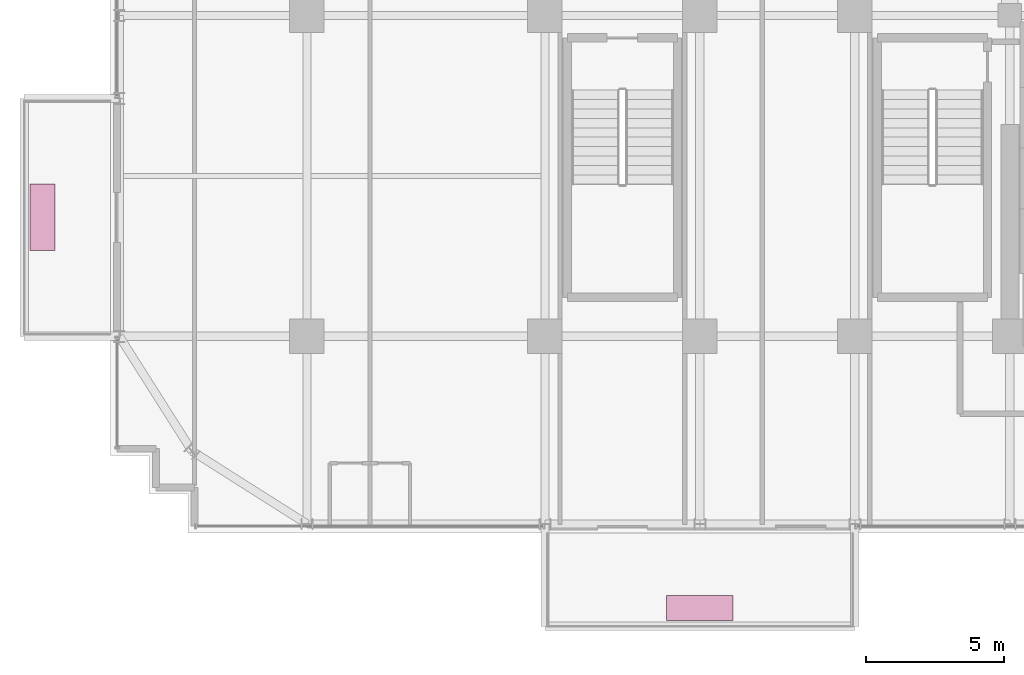
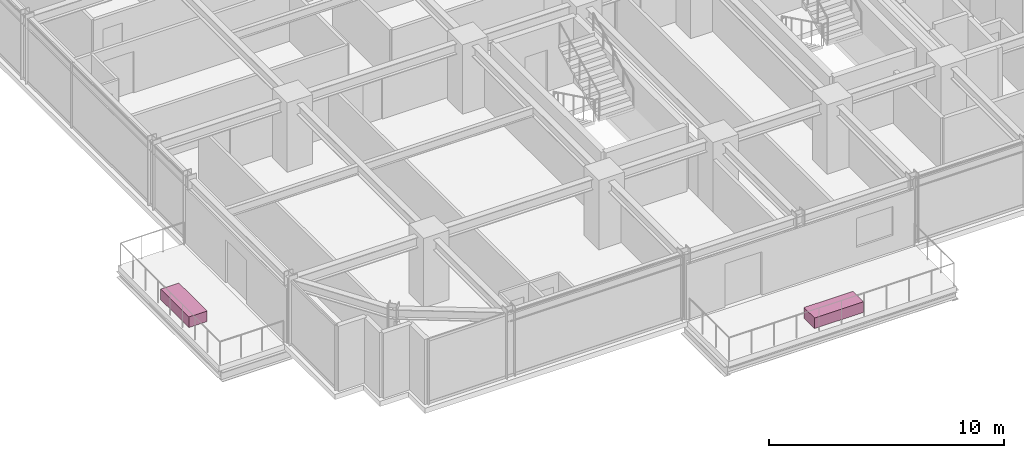
# One storey, part 31 of 31: 2 furnishings.
"""IFC4 building model written with IfcOpenShell, lengths in metres."""

from ifc_helpers import new_model, si_unit, direction, frame, origin, origin_2d, place, context, subcontext, project, spatial, rectangle, extrude, source, transform, mapped, material, type_object, element, save


model = new_model("IFC4")

# Units and contexts
model_context = context("Model", 3, precision=1e-05, world=origin(), true_north=direction((0.0, 1.0)))
body_context = subcontext(model_context, "Body", "Model", "MODEL_VIEW")
ifc_project = project(units=[si_unit("LENGTHUNIT", "METRE"), si_unit("AREAUNIT", "SQUARE_METRE"), si_unit("VOLUMEUNIT", "CUBIC_METRE"), si_unit("PLANEANGLEUNIT", "RADIAN"), si_unit("MASSUNIT", "GRAM", prefix="KILO")], contexts=[model_context])

# Site, building, storey
site_placement = place(None, origin())
site = spatial("IfcSite", under=ifc_project, at=site_placement, CompositionType="ELEMENT")
building_placement = place(site_placement, origin())
building = spatial("IfcBuilding", under=site, at=building_placement, Name="Nahalor Promenade Grand Hotel", CompositionType="ELEMENT")
storey_placement = place(building_placement, frame((0.0, 0.0, 95.60009765625)))
storey = spatial("IfcBuildingStorey", under=building, at=storey_placement, Name="L23", CompositionType="ELEMENT", Elevation=95.60009765625)

# Furnishings
ifc_material = material(Name="Vegetated Volcanic-Lapilli Tree Planter", Category="earth")
furnishing_element_type = type_object("IfcFurnishingElementType", Name="Planter-VerticalForest-Box", material=ifc_material)
shared_shape = source(origin(), body_context, "Body", "SweptSolid", [
    extrude(rectangle(XDim=2.39990234375, YDim=0.89990234375, at=origin_2d()), origin(), (0.0, 0.0, 1.0), 0.550048828125),
])
for number, where, z_axis, x_axis, name in (
    (1, (-2.800048828125, -26.81005859375, 0.0), (0.0, 0.0, 1.0), (1.0, 0.0, 0.0), "L23 Balcony Structural Tree Planter 1"),
    (2, (-26.550048828125, -12.699951171875, 0.0), (0.0, 0.0, 1.0), (0.0, 1.0, 0.0), "L23 Balcony Structural Tree Planter 2"),
):
    element("IfcFurnishingElement", number, at=place(storey_placement, frame(where, z_axis=z_axis, x_axis=x_axis)), inside=storey, type_object=furnishing_element_type, Name=name, ObjectType="PLANTER", context=body_context, shape_type="MappedRepresentation", body=[
        mapped(shared_shape, transform((0.0, 0.0, 0.0), scale=1.0)),
    ])

save(model, "model.ifc")
